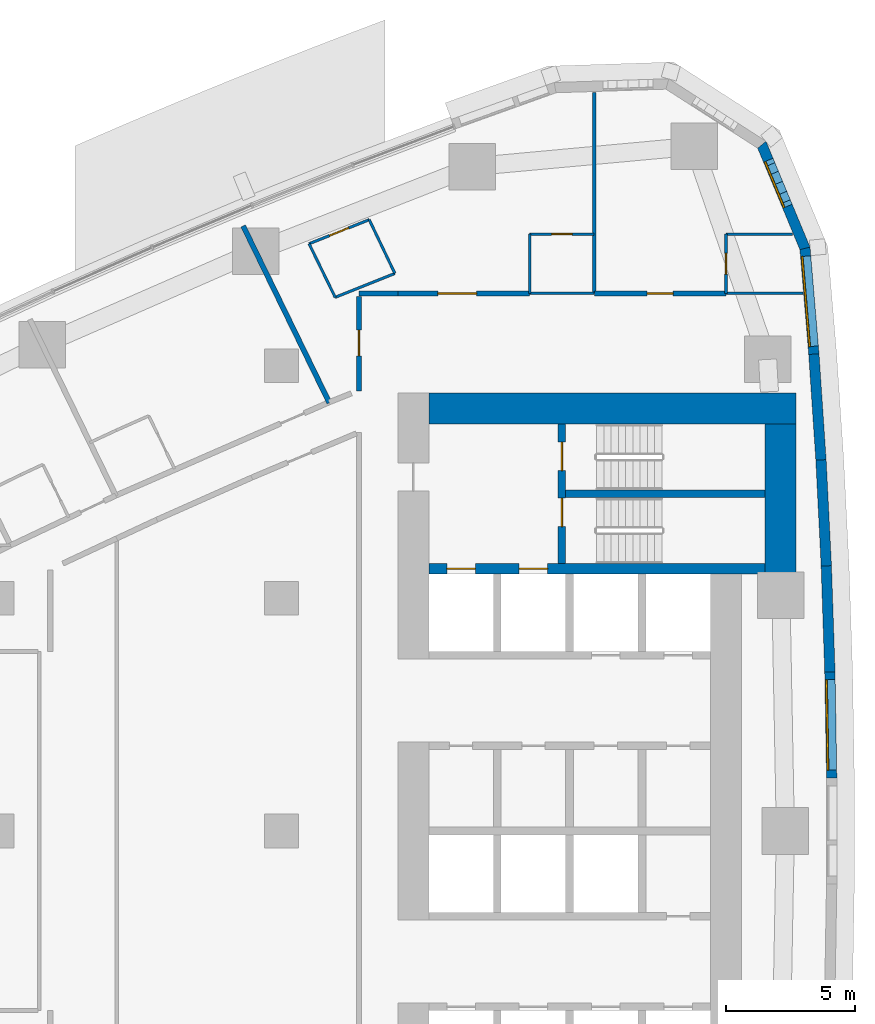
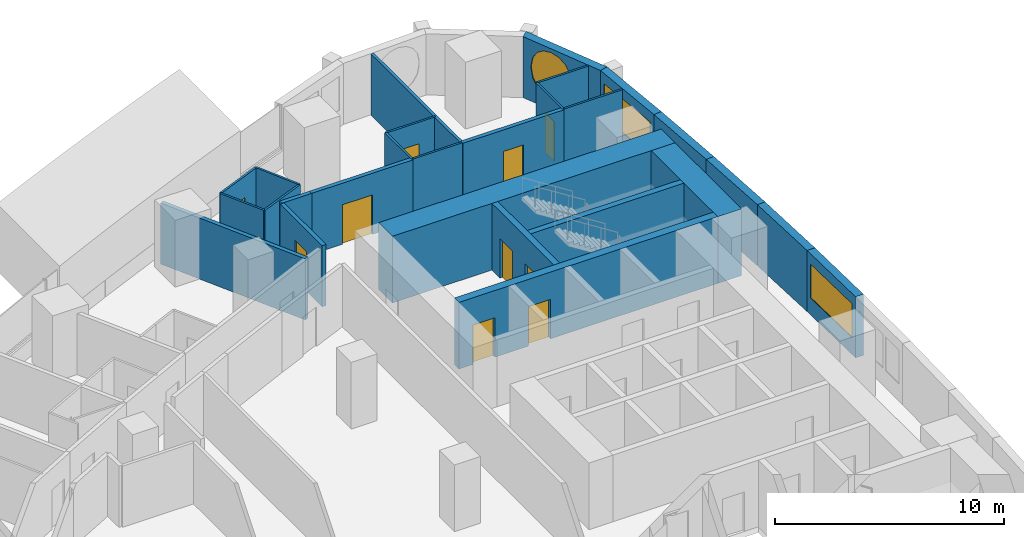
# One storey, part 13 of 19: 27 walls, 10 doors, 3 windows, 13 openings.
"""IFC4 building model written with IfcOpenShell, lengths in metres."""

from ifc_helpers import new_model, si_unit, direction, frame, frame_2d, origin, place, context, subcontext, project, spatial, polyline, rectangle, outline, extrude, material, layer, layer_set, type_object, element, fill, save


model = new_model("IFC4")

# Units and contexts
model_context = context("Model", 3, precision=1e-05, world=origin(), true_north=direction((0.0, 1.0)))
body_context = subcontext(model_context, "Body", "Model", "MODEL_VIEW")
ifc_project = project(units=[si_unit("LENGTHUNIT", "METRE"), si_unit("AREAUNIT", "SQUARE_METRE"), si_unit("VOLUMEUNIT", "CUBIC_METRE"), si_unit("PLANEANGLEUNIT", "RADIAN"), si_unit("MASSUNIT", "GRAM", prefix="KILO")], contexts=[model_context])

# Site, building, storey
site_placement = place(None, origin())
site = spatial("IfcSite", under=ifc_project, at=site_placement, CompositionType="ELEMENT")
building_placement = place(site_placement, origin())
building = spatial("IfcBuilding", under=site, at=building_placement, Name="Ostrand Prow Hotel Tower", CompositionType="ELEMENT")
storey_placement = place(building_placement, frame((0.0, 0.0, 39.60009765625)))
storey = spatial("IfcBuildingStorey", under=building, at=storey_placement, Name="L07", CompositionType="ELEMENT", Elevation=39.60009765625)

# Walls
ifc_material_1 = material(Name="Concrete C80/95", Category="concrete")
ifc_layer_1 = layer(ifc_material_1, 1.199951171875)
ifc_layer_set_1 = layer_set([ifc_layer_1], Name="Concrete C80/95")
wall_type_1 = type_object("IfcWallType", Name="Core wall 1200 C80/95", PredefinedType="SHEAR", material=ifc_layer_set_1)
wall_1_placement = place(storey_placement, frame((50.699951171875, 16.35009765625, 0.0), z_axis=(0.0, 0.0, 1.0), x_axis=(1.0, 0.0, 0.0)))
element("IfcWall", 1, at=wall_1_placement, inside=storey, type_object=wall_type_1, Name="Core wall CW-N", PredefinedType="SHEAR", context=body_context, shape_type="SweptSolid", body=[
    extrude(rectangle(XDim=14.219970703125, YDim=1.199951171875, at=frame_2d((7.10986328125, 0.0))), origin(), (0.0, 0.0, 1.0), 3.5498046875),
])
wall_2_placement = place(storey_placement, frame((64.320068359375, 9.949951171875, 0.0), z_axis=(0.0, 0.0, 1.0), x_axis=(0.0, 1.0, 0.0)))
element("IfcWall", 2, at=wall_2_placement, inside=storey, type_object=wall_type_1, Name="Core wall CW-E-N", PredefinedType="SHEAR", context=body_context, shape_type="SweptSolid", body=[
    extrude(rectangle(XDim=5.800048828125, YDim=1.199951171875, at=frame_2d((2.89990234375, 0.0))), origin(), (0.0, 0.0, 1.0), 3.5498046875),
])

# Wall, openings, doors
ifc_material_2 = material(Name="Concrete C80/95", Category="concrete")
ifc_layer_2 = layer(ifc_material_2, 0.300048828125)
ifc_layer_set_2 = layer_set([ifc_layer_2], Name="Concrete C80/95")
wall_type_2 = type_object("IfcWallType", Name="Core wall 300 C80/95", PredefinedType="SHEAR", material=ifc_layer_set_2)
wall_3_placement = place(storey_placement, frame((55.85009765625, 10.35009765625, 0.0), z_axis=(0.0, 0.0, 1.0), x_axis=(0.0, 1.0, 0.0)))
wall_3 = element("IfcWall", 3, at=wall_3_placement, inside=storey, type_object=wall_type_2, Name="Core wall PW-VN", PredefinedType="SHEAR", context=body_context, shape_type="SweptSolid", body=[
    extrude(rectangle(XDim=5.39990234375, YDim=0.300048828125, at=frame_2d((2.699951171875, 0.0))), origin(), (0.0, 0.0, 1.0), 3.5498046875),
])
opening_1_placement = place(wall_3_placement, frame((1.429931640625, 0.0, 0.0)))
opening_1 = element("IfcOpeningElement", 4, at=opening_1_placement, cuts=wall_3, Name="Opening FD1", PredefinedType="OPENING", context=body_context, shape_type="SweptSolid", body=[
    extrude(rectangle(XDim=1.10009765625, YDim=2.10009765625, at=frame_2d((0.550048828125, 1.050048828125))), frame((0.0, 0.159912109375, 0.0), z_axis=(0.0, -1.0, 0.0), x_axis=(1.0, 0.0, 0.0)), (0.0, 0.0, 1.0), 0.320068359375),
])
opening_2_placement = place(wall_3_placement, frame((3.60009765625, 0.0, 0.0)))
opening_2 = element("IfcOpeningElement", 5, at=opening_2_placement, cuts=wall_3, Name="Opening FD1", PredefinedType="OPENING", context=body_context, shape_type="SweptSolid", body=[
    extrude(rectangle(XDim=1.10009765625, YDim=2.10009765625, at=frame_2d((0.550048828125, 1.050048828125))), frame((0.0, 0.159912109375, 0.0), z_axis=(0.0, -1.0, 0.0), x_axis=(1.0, 0.0, 0.0)), (0.0, 0.0, 1.0), 0.320068359375),
])
ifc_material_3 = material(Name="Steel fire door", Category="steel")
door_type_1 = type_object("IfcDoorType", Name="Fire door 1100 EI120", OperationType="SINGLE_SWING_RIGHT", PredefinedType="DOOR", material=ifc_material_3)
door_1_placement = place(opening_1_placement, origin())
door_1 = element("IfcDoor", 6, at=door_1_placement, inside=storey, type_object=door_type_1, Name="FIRE DOOR", OperationType="SINGLE_SWING_RIGHT", OverallHeight=2.10009765625, OverallWidth=1.10009765625, PredefinedType="DOOR", context=body_context, shape_type="SweptSolid", body=[
    extrude(rectangle(XDim=1.10009765625, YDim=2.10009765625, at=frame_2d((0.550048828125, 1.050048828125))), frame((0.0, 0.02490234375, 0.0), z_axis=(0.0, -1.0, 0.0), x_axis=(1.0, 0.0, 0.0)), (0.0, 0.0, 1.0), 0.050048828125),
])
fill(opening_1, door_1)
door_2_placement = place(opening_2_placement, origin())
door_2 = element("IfcDoor", 7, at=door_2_placement, inside=storey, type_object=door_type_1, Name="FIRE DOOR", OperationType="SINGLE_SWING_RIGHT", OverallHeight=2.10009765625, OverallWidth=1.10009765625, PredefinedType="DOOR", context=body_context, shape_type="SweptSolid", body=[
    extrude(rectangle(XDim=1.10009765625, YDim=2.10009765625, at=frame_2d((0.550048828125, 1.050048828125))), frame((0.0, 0.02490234375, 0.0), z_axis=(0.0, -1.0, 0.0), x_axis=(1.0, 0.0, 0.0)), (0.0, 0.0, 1.0), 0.050048828125),
])
fill(opening_2, door_2)

# Wall
wall_4_placement = place(storey_placement, frame((56.0, 13.050048828125, 0.0), z_axis=(0.0, 0.0, 1.0), x_axis=(1.0, 0.0, 0.0)))
element("IfcWall", 8, at=wall_4_placement, inside=storey, type_object=wall_type_2, Name="Core wall PW-ST13", PredefinedType="SHEAR", context=body_context, shape_type="SweptSolid", body=[
    extrude(rectangle(XDim=7.719970703125, YDim=0.300048828125, at=frame_2d((3.85986328125, 0.0))), origin(), (0.0, 0.0, 1.0), 3.5498046875),
])

# Wall, openings, doors
ifc_material_4 = material(Name="Concrete C80/95", Category="concrete")
ifc_layer_3 = layer(ifc_material_4, 0.39990234375)
ifc_layer_set_3 = layer_set([ifc_layer_3], Name="Concrete C80/95")
wall_type_3 = type_object("IfcWallType", Name="Core wall 400 C80/95", PredefinedType="SHEAR", material=ifc_layer_set_3)
wall_5_placement = place(storey_placement, frame((50.699951171875, 10.14990234375, 0.0), z_axis=(0.0, 0.0, 1.0), x_axis=(1.0, 0.0, 0.0)))
wall_5 = element("IfcWall", 9, at=wall_5_placement, inside=storey, type_object=wall_type_3, Name="Core wall PW-BN", PredefinedType="SHEAR", context=body_context, shape_type="SweptSolid", body=[
    extrude(rectangle(XDim=13.02001953125, YDim=0.39990234375, at=frame_2d((6.510009765625, 0.0))), origin(), (0.0, 0.0, 1.0), 3.5498046875),
])
opening_3_placement = place(wall_5_placement, frame((0.699951171875, 0.0, 0.0)))
opening_3 = element("IfcOpeningElement", 10, at=opening_3_placement, cuts=wall_5, Name="Opening LD", PredefinedType="OPENING", context=body_context, shape_type="SweptSolid", body=[
    extrude(rectangle(XDim=1.10009765625, YDim=2.10009765625, at=frame_2d((0.550048828125, 1.050048828125))), frame((0.0, 0.2099609375, 0.0), z_axis=(0.0, -1.0, 0.0), x_axis=(1.0, 0.0, 0.0)), (0.0, 0.0, 1.0), 0.419921875),
])
opening_4_placement = place(wall_5_placement, frame((3.5, 0.0, 0.0)))
opening_4 = element("IfcOpeningElement", 11, at=opening_4_placement, cuts=wall_5, Name="Opening LD", PredefinedType="OPENING", context=body_context, shape_type="SweptSolid", body=[
    extrude(rectangle(XDim=1.10009765625, YDim=2.10009765625, at=frame_2d((0.550048828125, 1.050048828125))), frame((0.0, 0.2099609375, 0.0), z_axis=(0.0, -1.0, 0.0), x_axis=(1.0, 0.0, 0.0)), (0.0, 0.0, 1.0), 0.419921875),
])
ifc_material_5 = material(Name="Stainless steel door", Category="steel")
door_type_2 = type_object("IfcDoorType", Name="Lift landing door 1100", OperationType="DOUBLE_DOOR_SLIDING", PredefinedType="DOOR", material=ifc_material_5)
door_3_placement = place(opening_3_placement, origin())
door_3 = element("IfcDoor", 12, at=door_3_placement, inside=storey, type_object=door_type_2, Name="LIFT LANDING DOOR", OperationType="DOUBLE_DOOR_SLIDING", OverallHeight=2.10009765625, OverallWidth=1.10009765625, PredefinedType="DOOR", context=body_context, shape_type="SweptSolid", body=[
    extrude(rectangle(XDim=1.10009765625, YDim=2.10009765625, at=frame_2d((0.550048828125, 1.050048828125))), frame((0.0, 0.02490234375, 0.0), z_axis=(0.0, -1.0, 0.0), x_axis=(1.0, 0.0, 0.0)), (0.0, 0.0, 1.0), 0.050048828125),
])
fill(opening_3, door_3)
door_4_placement = place(opening_4_placement, origin())
door_4 = element("IfcDoor", 13, at=door_4_placement, inside=storey, type_object=door_type_2, Name="LIFT LANDING DOOR", OperationType="DOUBLE_DOOR_SLIDING", OverallHeight=2.10009765625, OverallWidth=1.10009765625, PredefinedType="DOOR", context=body_context, shape_type="SweptSolid", body=[
    extrude(rectangle(XDim=1.10009765625, YDim=2.10009765625, at=frame_2d((0.550048828125, 1.050048828125))), frame((0.0, 0.02490234375, 0.0), z_axis=(0.0, -1.0, 0.0), x_axis=(1.0, 0.0, 0.0)), (0.0, 0.0, 1.0), 0.050048828125),
])
fill(opening_4, door_4)

# Wall
ifc_material_6 = material(Name="Plasterboard partition")
ifc_layer_4 = layer(ifc_material_6, 0.10009765625)
ifc_layer_set_4 = layer_set([ifc_layer_4], Name="Plasterboard partition")
wall_type_4 = type_object("IfcWallType", Name="Partition 100 bathroom wall", PredefinedType="PARTITIONING", material=ifc_layer_set_4)
wall_6_placement = place(storey_placement, frame((54.601806640625, 20.800048828125, 0.0), z_axis=(0.0, 0.0, 1.0), x_axis=(0.0, 1.0, 0.0)))
element("IfcWall", 14, at=wall_6_placement, inside=storey, type_object=wall_type_4, Name="BATHROOM WALL", PredefinedType="PARTITIONING", context=body_context, shape_type="SweptSolid", body=[
    extrude(rectangle(XDim=2.300048828125, YDim=0.10009765625, at=frame_2d((1.14990234375, 0.0))), origin(), (0.0, 0.0, 1.0), 3.25),
])

# Wall, opening, door
wall_7_placement = place(storey_placement, frame((54.601806640625, 23.10009765625, 0.0), z_axis=(0.0, 0.0, 1.0), x_axis=(1.0, 0.0, 0.0)))
wall_7 = element("IfcWall", 15, at=wall_7_placement, inside=storey, type_object=wall_type_4, Name="BATHROOM WALL", PredefinedType="PARTITIONING", context=body_context, shape_type="SweptSolid", body=[
    extrude(rectangle(XDim=2.5, YDim=0.10009765625, at=frame_2d((1.25, 0.0))), origin(), (0.0, 0.0, 1.0), 3.25),
])
opening_5_placement = place(wall_7_placement, frame((0.85009765625, 0.0, 0.0)))
opening_5 = element("IfcOpeningElement", 16, at=opening_5_placement, cuts=wall_7, Name="Opening D2", PredefinedType="OPENING", context=body_context, shape_type="SweptSolid", body=[
    extrude(rectangle(XDim=0.800048828125, YDim=2.10009765625, at=frame_2d((0.39990234375, 1.050048828125))), frame((0.0, 0.06005859375, 0.0), z_axis=(0.0, -1.0, 0.0), x_axis=(1.0, 0.0, 0.0)), (0.0, 0.0, 1.0), 0.1201171875),
])
ifc_material_7 = material(Name="Timber door leaf", Category="wood")
door_type_3 = type_object("IfcDoorType", Name="Bathroom door 800", OperationType="SINGLE_SWING_LEFT", PredefinedType="DOOR", material=ifc_material_7)
door_5_placement = place(opening_5_placement, origin())
door_5 = element("IfcDoor", 17, at=door_5_placement, inside=storey, type_object=door_type_3, Name="DOOR", OperationType="SINGLE_SWING_LEFT", OverallHeight=2.10009765625, OverallWidth=0.800048828125, PredefinedType="DOOR", context=body_context, shape_type="SweptSolid", body=[
    extrude(rectangle(XDim=0.800048828125, YDim=2.10009765625, at=frame_2d((0.39990234375, 1.050048828125))), frame((0.0, 0.02490234375, 0.0), z_axis=(0.0, -1.0, 0.0), x_axis=(1.0, 0.0, 0.0)), (0.0, 0.0, 1.0), 0.050048828125),
])
fill(opening_5, door_5)

wall_8_placement = place(storey_placement, frame((62.203369140625, 20.800048828125, 0.0), z_axis=(0.0, 0.0, 1.0), x_axis=(0.0, 1.0, 0.0)))
wall_8 = element("IfcWall", 18, at=wall_8_placement, inside=storey, type_object=wall_type_4, Name="BATHROOM WALL", PredefinedType="PARTITIONING", context=body_context, shape_type="SweptSolid", body=[
    extrude(rectangle(XDim=2.300048828125, YDim=0.10009765625, at=frame_2d((1.14990234375, 0.0))), origin(), (0.0, 0.0, 1.0), 3.25),
])
opening_6_placement = place(wall_8_placement, frame((0.75, 0.0, 0.0)))
opening_6 = element("IfcOpeningElement", 19, at=opening_6_placement, cuts=wall_8, Name="Opening D2", PredefinedType="OPENING", context=body_context, shape_type="SweptSolid", body=[
    extrude(rectangle(XDim=0.800048828125, YDim=2.10009765625, at=frame_2d((0.39990234375, 1.050048828125))), frame((0.0, 0.06005859375, 0.0), z_axis=(0.0, -1.0, 0.0), x_axis=(1.0, 0.0, 0.0)), (0.0, 0.0, 1.0), 0.1201171875),
])
door_6_placement = place(opening_6_placement, origin())
door_6 = element("IfcDoor", 20, at=door_6_placement, inside=storey, type_object=door_type_3, Name="DOOR", OperationType="SINGLE_SWING_LEFT", OverallHeight=2.10009765625, OverallWidth=0.800048828125, PredefinedType="DOOR", context=body_context, shape_type="SweptSolid", body=[
    extrude(rectangle(XDim=0.800048828125, YDim=2.10009765625, at=frame_2d((0.39990234375, 1.050048828125))), frame((0.0, 0.02490234375, 0.0), z_axis=(0.0, -1.0, 0.0), x_axis=(1.0, 0.0, 0.0)), (0.0, 0.0, 1.0), 0.050048828125),
])
fill(opening_6, door_6)

# Walls
wall_9_placement = place(storey_placement, frame((62.203369140625, 23.10009765625, 0.0), z_axis=(0.0, 0.0, 1.0), x_axis=(1.0, 0.0, 0.0)))
element("IfcWall", 21, at=wall_9_placement, inside=storey, type_object=wall_type_4, Name="BATHROOM WALL", PredefinedType="PARTITIONING", context=body_context, shape_type="SweptSolid", body=[
    extrude(rectangle(XDim=2.578125, YDim=0.10009765625, at=frame_2d((1.2890625, 0.0))), origin(), (0.0, 0.0, 1.0), 3.25),
])
wall_10_placement = place(storey_placement, frame((49.387939453125, 21.5771484375, 0.0), z_axis=(0.0, 0.0, 1.0), x_axis=(-0.928266690687, -0.371915247014, 0.0)))
element("IfcWall", 22, at=wall_10_placement, inside=storey, type_object=wall_type_4, Name="BATHROOM WALL", PredefinedType="PARTITIONING", context=body_context, shape_type="SweptSolid", body=[
    extrude(rectangle(XDim=2.4873046875, YDim=0.10009765625, at=frame_2d((1.24365234375, 0.0))), origin(), (0.0, 0.0, 1.0), 3.25),
])
wall_11_placement = place(storey_placement, frame((47.0791015625, 20.652099609375, 0.0), z_axis=(0.0, 0.0, 1.0), x_axis=(-0.438171240168, 0.898891519756, 0.0)))
element("IfcWall", 23, at=wall_11_placement, inside=storey, type_object=wall_type_4, Name="BATHROOM WALL", PredefinedType="PARTITIONING", context=body_context, shape_type="SweptSolid", body=[
    extrude(rectangle(XDim=2.30615234375, YDim=0.10009765625, at=frame_2d((1.153076171875, 0.0))), origin(), (0.0, 0.0, 1.0), 3.25),
])

# Wall, opening, door
wall_12_placement = place(storey_placement, frame((46.068603515625, 22.72509765625, 0.0), z_axis=(0.0, 0.0, 1.0), x_axis=(0.928288495333, 0.371860819975, 0.0)))
wall_12 = element("IfcWall", 24, at=wall_12_placement, inside=storey, type_object=wall_type_4, Name="BATHROOM WALL", PredefinedType="PARTITIONING", context=body_context, shape_type="SweptSolid", body=[
    extrude(rectangle(XDim=2.506591796875, YDim=0.10009765625, at=frame_2d((1.25341796875, 0.0))), origin(), (0.0, 0.0, 1.0), 3.25),
])
opening_7_placement = place(wall_12_placement, frame((0.85009765625, 0.0, 0.0)))
opening_7 = element("IfcOpeningElement", 25, at=opening_7_placement, cuts=wall_12, Name="Opening D2", PredefinedType="OPENING", context=body_context, shape_type="SweptSolid", body=[
    extrude(rectangle(XDim=0.800048828125, YDim=2.10009765625, at=frame_2d((0.39990234375, 1.050048828125))), frame((0.0, 0.06005859375, 0.0), z_axis=(0.0, -1.0, 0.0), x_axis=(1.0, 0.0, 0.0)), (0.0, 0.0, 1.0), 0.1201171875),
])
door_7_placement = place(opening_7_placement, origin())
door_7 = element("IfcDoor", 26, at=door_7_placement, inside=storey, type_object=door_type_3, Name="DOOR", OperationType="SINGLE_SWING_LEFT", OverallHeight=2.10009765625, OverallWidth=0.800048828125, PredefinedType="DOOR", context=body_context, shape_type="SweptSolid", body=[
    extrude(rectangle(XDim=0.800048828125, YDim=2.10009765625, at=frame_2d((0.39990234375, 1.050048828125))), frame((0.0, 0.02490234375, 0.0), z_axis=(0.0, -1.0, 0.0), x_axis=(1.0, 0.0, 0.0)), (0.0, 0.0, 1.0), 0.050048828125),
])
fill(opening_7, door_7)

# Walls
wall_13_placement = place(storey_placement, frame((57.101806640625, 20.804931640625, 0.0), z_axis=(0.0, 0.0, 1.0), x_axis=(-1.0, 0.0, 0.0)))
element("IfcWall", 27, at=wall_13_placement, inside=storey, type_object=wall_type_4, Name="BATHROOM WALL", PredefinedType="PARTITIONING", context=body_context, shape_type="SweptSolid", body=[
    extrude(rectangle(XDim=2.5, YDim=0.10009765625, at=frame_2d((1.25, 0.0))), origin(), (0.0, 0.0, 1.0), 3.25),
])
wall_14_placement = place(storey_placement, frame((65.174560546875, 20.804931640625, 0.0), z_axis=(0.0, 0.0, 1.0), x_axis=(-1.0, 0.0, 0.0)))
element("IfcWall", 28, at=wall_14_placement, inside=storey, type_object=wall_type_4, Name="BATHROOM WALL", PredefinedType="PARTITIONING", context=body_context, shape_type="SweptSolid", body=[
    extrude(rectangle(XDim=2.97119140625, YDim=0.10009765625, at=frame_2d((1.485595703125, 0.0))), origin(), (0.0, 0.0, 1.0), 3.25),
])
wall_15_placement = place(storey_placement, frame((48.3955078125, 23.6572265625, 0.0), z_axis=(0.0, 0.0, 1.0), x_axis=(0.4306119303, -0.902537182327, 0.0)))
element("IfcWall", 29, at=wall_15_placement, inside=storey, type_object=wall_type_4, Name="BATHROOM WALL", PredefinedType="PARTITIONING", context=body_context, shape_type="SweptSolid", body=[
    extrude(rectangle(XDim=2.3046875, YDim=0.10009765625, at=frame_2d((1.15234375, 0.0))), origin(), (0.0, 0.0, 1.0), 3.25),
])
ifc_material_8 = material(Name="Plasterboard partition")
ifc_layer_5 = layer(ifc_material_8, 0.14990234375)
ifc_layer_set_5 = layer_set([ifc_layer_5], Name="Plasterboard partition")
wall_type_5 = type_object("IfcWallType", Name="Partition 150 room partition", PredefinedType="PARTITIONING", material=ifc_layer_set_5)
wall_16_placement = place(storey_placement, frame((57.101806640625, 20.800048828125, 0.0), z_axis=(0.0, 0.0, 1.0), x_axis=(0.0, 1.0, 0.0)))
element("IfcWall", 30, at=wall_16_placement, inside=storey, type_object=wall_type_5, Name="ROOM PARTITION", PredefinedType="PARTITIONING", context=body_context, shape_type="SweptSolid", body=[
    extrude(rectangle(XDim=7.786865234375, YDim=0.14990234375, at=frame_2d((3.8935546875, 0.0))), origin(), (0.0, 0.0, 1.0), 3.25),
])

# Wall, opening, door
ifc_material_9 = material(Name="Plasterboard partition")
ifc_layer_6 = layer(ifc_material_9, 0.199951171875)
ifc_layer_set_6 = layer_set([ifc_layer_6], Name="Plasterboard partition")
wall_type_6 = type_object("IfcWallType", Name="Partition 200 corridor wall", PredefinedType="PARTITIONING", material=ifc_layer_set_6)
wall_17_placement = place(storey_placement, frame((54.5966796875, 20.804931640625, 0.0), z_axis=(0.0, 0.0, 1.0), x_axis=(-1.0, 0.0, 0.0)))
wall_17 = element("IfcWall", 31, at=wall_17_placement, inside=storey, type_object=wall_type_6, Name="CORRIDOR WALL", PredefinedType="PARTITIONING", context=body_context, shape_type="SweptSolid", body=[
    extrude(rectangle(XDim=5.0966796875, YDim=0.199951171875, at=frame_2d((2.54833984375, 0.0))), origin(), (0.0, 0.0, 1.0), 3.25),
])
opening_8_placement = place(wall_17_placement, frame((2.04833984375, 0.0, 0.0)))
opening_8 = element("IfcOpeningElement", 32, at=opening_8_placement, cuts=wall_17, Name="Opening D15", PredefinedType="OPENING", context=body_context, shape_type="SweptSolid", body=[
    extrude(rectangle(XDim=1.5, YDim=2.10009765625, at=frame_2d((0.75, 1.050048828125))), frame((0.0, 0.10986328125, 0.0), z_axis=(0.0, -1.0, 0.0), x_axis=(1.0, 0.0, 0.0)), (0.0, 0.0, 1.0), 0.219970703125),
])
ifc_material_10 = material(Name="Timber door leaf", Category="wood")
door_type_4 = type_object("IfcDoorType", Name="Double door 1500", OperationType="DOUBLE_DOOR_SINGLE_SWING", PredefinedType="DOOR", material=ifc_material_10)
door_8_placement = place(opening_8_placement, origin())
door_8 = element("IfcDoor", 33, at=door_8_placement, inside=storey, type_object=door_type_4, Name="DOOR", OperationType="DOUBLE_DOOR_SINGLE_SWING", OverallHeight=2.10009765625, OverallWidth=1.5, PredefinedType="DOOR", context=body_context, shape_type="SweptSolid", body=[
    extrude(rectangle(XDim=1.5, YDim=2.10009765625, at=frame_2d((0.75, 1.050048828125))), frame((0.0, 0.02490234375, 0.0), z_axis=(0.0, -1.0, 0.0), x_axis=(1.0, 0.0, 0.0)), (0.0, 0.0, 1.0), 0.050048828125),
])
fill(opening_8, door_8)

wall_18_placement = place(storey_placement, frame((62.1982421875, 20.804931640625, 0.0), z_axis=(0.0, 0.0, 1.0), x_axis=(-1.0, 0.0, 0.0)))
wall_18 = element("IfcWall", 34, at=wall_18_placement, inside=storey, type_object=wall_type_6, Name="CORRIDOR WALL", PredefinedType="PARTITIONING", context=body_context, shape_type="SweptSolid", body=[
    extrude(rectangle(XDim=5.091552734375, YDim=0.199951171875, at=frame_2d((2.5458984375, 0.0))), origin(), (0.0, 0.0, 1.0), 3.25),
])
opening_9_placement = place(wall_18_placement, frame((2.0458984375, 0.0, 0.0)))
opening_9 = element("IfcOpeningElement", 35, at=opening_9_placement, cuts=wall_18, Name="Opening D1", PredefinedType="OPENING", context=body_context, shape_type="SweptSolid", body=[
    extrude(rectangle(XDim=1.0, YDim=2.10009765625, at=frame_2d((0.5, 1.050048828125))), frame((0.0, 0.10986328125, 0.0), z_axis=(0.0, -1.0, 0.0), x_axis=(1.0, 0.0, 0.0)), (0.0, 0.0, 1.0), 0.219970703125),
])
ifc_material_11 = material(Name="Timber door leaf", Category="wood")
door_type_5 = type_object("IfcDoorType", Name="Guest room door 1000", OperationType="SINGLE_SWING_LEFT", PredefinedType="DOOR", material=ifc_material_11)
door_9_placement = place(opening_9_placement, origin())
door_9 = element("IfcDoor", 36, at=door_9_placement, inside=storey, type_object=door_type_5, Name="DOOR", OperationType="SINGLE_SWING_LEFT", OverallHeight=2.10009765625, OverallWidth=1.0, PredefinedType="DOOR", context=body_context, shape_type="SweptSolid", body=[
    extrude(rectangle(XDim=1.0, YDim=2.10009765625, at=frame_2d((0.5, 1.050048828125))), frame((0.0, 0.02490234375, 0.0), z_axis=(0.0, -1.0, 0.0), x_axis=(1.0, 0.0, 0.0)), (0.0, 0.0, 1.0), 0.050048828125),
])
fill(opening_9, door_9)

# Wall
wall_19_placement = place(storey_placement, frame((49.5, 20.804931640625, 0.0), z_axis=(0.0, 0.0, 1.0), x_axis=(-0.999998683182, -0.001622847587, 0.0)))
element("IfcWall", 37, at=wall_19_placement, inside=storey, type_object=wall_type_6, Name="CORRIDOR WALL", PredefinedType="PARTITIONING", context=body_context, shape_type="SweptSolid", body=[
    extrude(rectangle(XDim=1.50439453125, YDim=0.199951171875, at=frame_2d((0.752197265625, 0.0))), origin(), (0.0, 0.0, 1.0), 3.25),
])

# Wall, opening, door
wall_20_placement = place(storey_placement, frame((47.99560546875, 20.682373046875, 0.0), z_axis=(0.0, 0.0, 1.0), x_axis=(0.000869739418, -0.999999621777, 0.0)))
wall_20 = element("IfcWall", 38, at=wall_20_placement, inside=storey, type_object=wall_type_6, Name="CORRIDOR WALL", PredefinedType="PARTITIONING", context=body_context, shape_type="SweptSolid", body=[
    extrude(rectangle(XDim=3.649169921875, YDim=0.199951171875, at=frame_2d((1.82470703125, 0.0))), origin(), (0.0, 0.0, 1.0), 3.25),
])
opening_10_placement = place(wall_20_placement, frame((1.300048828125, 0.0, 0.0)))
opening_10 = element("IfcOpeningElement", 39, at=opening_10_placement, cuts=wall_20, Name="Opening D1R", PredefinedType="OPENING", context=body_context, shape_type="SweptSolid", body=[
    extrude(rectangle(XDim=1.0, YDim=2.10009765625, at=frame_2d((0.5, 1.050048828125))), frame((0.0, 0.10986328125, 0.0), z_axis=(0.0, -1.0, 0.0), x_axis=(1.0, 0.0, 0.0)), (0.0, 0.0, 1.0), 0.219970703125),
])
ifc_material_12 = material(Name="Timber door leaf", Category="wood")
door_type_6 = type_object("IfcDoorType", Name="Guest room door 1000 right", OperationType="SINGLE_SWING_RIGHT", PredefinedType="DOOR", material=ifc_material_12)
door_10_placement = place(opening_10_placement, origin())
door_10 = element("IfcDoor", 40, at=door_10_placement, inside=storey, type_object=door_type_6, Name="DOOR", OperationType="SINGLE_SWING_RIGHT", OverallHeight=2.10009765625, OverallWidth=1.0, PredefinedType="DOOR", context=body_context, shape_type="SweptSolid", body=[
    extrude(rectangle(XDim=1.0, YDim=2.10009765625, at=frame_2d((0.5, 1.050048828125))), frame((0.0, 0.02490234375, 0.0), z_axis=(0.0, -1.0, 0.0), x_axis=(1.0, 0.0, 0.0)), (0.0, 0.0, 1.0), 0.050048828125),
])
fill(opening_10, door_10)

# Wall
ifc_material_13 = material(Name="Plasterboard partition")
ifc_layer_7 = layer(ifc_material_13, 0.199951171875)
ifc_layer_set_7 = layer_set([ifc_layer_7], Name="Plasterboard partition")
wall_type_7 = type_object("IfcWallType", Name="Partition 200 key partition", PredefinedType="PARTITIONING", material=ifc_layer_set_7)
wall_21_placement = place(storey_placement, frame((46.85205078125, 16.57275390625, 0.0), z_axis=(0.0, 0.0, 1.0), x_axis=(-0.438196739796, 0.898879089328, 0.0)))
element("IfcWall", 41, at=wall_21_placement, inside=storey, type_object=wall_type_7, Name="KEY PARTITION", PredefinedType="PARTITIONING", context=body_context, shape_type="SweptSolid", body=[
    extrude(rectangle(XDim=7.611083984375, YDim=0.199951171875, at=frame_2d((3.8056640625, 0.0))), origin(), (0.0, 0.0, 1.0), 3.25),
])

# Wall, opening, window
ifc_material_14 = material(Name="Precast concrete C40/50", Category="concrete")
ifc_layer_8 = layer(ifc_material_14, 0.39990234375)
ifc_layer_set_8 = layer_set([ifc_layer_8], Name="Precast concrete C40/50")
wall_type_8 = type_object("IfcWallType", Name="Stone-faced precast wall 400 mm", PredefinedType="NOTDEFINED", material=ifc_layer_set_8)
wall_22_placement = place(storey_placement, frame((66.29150390625, 2.052490234375, 0.0), z_axis=(0.0, 0.0, 1.0), x_axis=(-0.016830829972, 0.999858351549, 0.0)))
wall_22 = element("IfcWall", 42, at=wall_22_placement, inside=storey, type_object=wall_type_8, Name="Stone-faced wall back 11", PredefinedType="NOTDEFINED", context=body_context, shape_type="SweptSolid", body=[
    extrude(outline(polyline([(-0.001708984375, -0.199951171875), (4.106689453125, -0.199951171875), (4.103271484375, 0.199951171875), (0.001708984375, 0.199951171875), (-0.001708984375, -0.199951171875)])), origin(), (0.0, 0.0, 1.0), 3.25),
])
opening_11_placement = place(wall_22_placement, frame((0.302490234375, 0.0, 0.89990234375)))
opening_11 = element("IfcOpeningElement", 43, at=opening_11_placement, cuts=wall_22, Name="Opening WS3-35", PredefinedType="OPENING", context=body_context, shape_type="SweptSolid", body=[
    extrude(rectangle(XDim=3.5, YDim=1.800048828125, at=frame_2d((1.75, 0.89990234375))), frame((0.0, 0.2099609375, 0.0), z_axis=(0.0, -1.0, 0.0), x_axis=(1.0, 0.0, 0.0)), (0.0, 0.0, 1.0), 0.419921875),
])
ifc_material_15 = material(Name="Insulated glass in bronze frame", Category="glass")
window_type_1 = type_object("IfcWindowType", Name="Strip window 3500x1800", PartitioningType="SINGLE_PANEL", PredefinedType="WINDOW", material=ifc_material_15)
window_1_placement = place(opening_11_placement, origin())
window_1 = element("IfcWindow", 44, at=window_1_placement, inside=storey, type_object=window_type_1, Name="Window back 11.1", OverallHeight=1.800048828125, OverallWidth=3.5, PartitioningType="SINGLE_PANEL", PredefinedType="WINDOW", context=body_context, shape_type="SweptSolid", body=[
    extrude(rectangle(XDim=3.5, YDim=1.800048828125, at=frame_2d((1.75, 0.89990234375))), frame((0.0, 0.169921875, 0.0), z_axis=(0.0, -1.0, 0.0), x_axis=(1.0, 0.0, 0.0)), (0.0, 0.0, 1.0), 0.06005859375),
])
fill(opening_11, window_1)

# Walls
for number, where, z_axis, x_axis, name in (
    (45, (66.222412109375, 6.156982421875, 0.0), (0.0, 0.0, 1.0), (-0.033542554696, 0.999437290191, 0.0), "Stone-faced wall back 12"),
    (46, (66.084716796875, 10.259765625, 0.0), (0.0, 0.0, 1.0), (-0.050314326423, 0.998733432181, 0.0), "Stone-faced wall back 13"),
    (47, (65.878173828125, 14.359619140625, 0.0), (0.0, 0.0, 1.0), (-0.067087430225, 0.997747100575, 0.0), "Stone-faced wall back 14"),
):
    element("IfcWall", number, at=place(storey_placement, frame(where, z_axis=z_axis, x_axis=x_axis)), inside=storey, type_object=wall_type_8, Name=name, PredefinedType="NOTDEFINED", context=body_context, shape_type="SweptSolid", body=[
        extrude(outline(polyline([(-0.001708984375, -0.199951171875), (4.106689453125, -0.199951171875), (4.103271484375, 0.199951171875), (0.001708984375, 0.199951171875), (-0.001708984375, -0.199951171875)])), origin(), (0.0, 0.0, 1.0), 3.25),
    ])

# Wall, opening, window
wall_23_placement = place(storey_placement, frame((65.602783203125, 18.455322265625, 0.0), z_axis=(0.0, 0.0, 1.0), x_axis=(-0.083793550906, 0.996483136248, 0.0)))
wall_23 = element("IfcWall", 48, at=wall_23_placement, inside=storey, type_object=wall_type_8, Name="Stone-faced wall back 15", PredefinedType="NOTDEFINED", context=body_context, shape_type="SweptSolid", body=[
    extrude(outline(polyline([(-0.001708984375, -0.199951171875), (4.136474609375, -0.199951171875), (4.073974609375, 0.199951171875), (0.001708984375, 0.199951171875), (-0.001708984375, -0.199951171875)])), origin(), (0.0, 0.0, 1.0), 3.25),
])
opening_12_placement = place(wall_23_placement, frame((0.302490234375, 0.0, 0.89990234375)))
opening_12 = element("IfcOpeningElement", 49, at=opening_12_placement, cuts=wall_23, Name="Opening WS3-35", PredefinedType="OPENING", context=body_context, shape_type="SweptSolid", body=[
    extrude(rectangle(XDim=3.5, YDim=1.800048828125, at=frame_2d((1.75, 0.89990234375))), frame((0.0, 0.2099609375, 0.0), z_axis=(0.0, -1.0, 0.0), x_axis=(1.0, 0.0, 0.0)), (0.0, 0.0, 1.0), 0.419921875),
])
window_2_placement = place(opening_12_placement, origin())
window_2 = element("IfcWindow", 50, at=window_2_placement, inside=storey, type_object=window_type_1, Name="Window back 15.1", OverallHeight=1.800048828125, OverallWidth=3.5, PartitioningType="SINGLE_PANEL", PredefinedType="WINDOW", context=body_context, shape_type="SweptSolid", body=[
    extrude(rectangle(XDim=3.5, YDim=1.800048828125, at=frame_2d((1.75, 0.89990234375))), frame((0.0, 0.169921875, 0.0), z_axis=(0.0, -1.0, 0.0), x_axis=(1.0, 0.0, 0.0)), (0.0, 0.0, 1.0), 0.06005859375),
])
fill(opening_12, window_2)

wall_24_placement = place(storey_placement, frame((65.2587890625, 22.546142578125, 0.0), z_axis=(0.0, 0.0, 1.0), x_axis=(-0.384372042685, 0.923178277908, 0.0)))
wall_24 = element("IfcWall", 51, at=wall_24_placement, inside=storey, type_object=wall_type_8, Name="Stone-faced wall back 16", PredefinedType="NOTDEFINED", context=body_context, shape_type="SweptSolid", body=[
    extrude(outline(polyline([(-0.03125, -0.199951171875), (4.408203125, -0.199951171875), (4.283203125, 0.199951171875), (0.03125, 0.199951171875), (-0.03125, -0.199951171875)])), origin(), (0.0, 0.0, 1.0), 3.25),
])
opening_13_placement = place(wall_24_placement, frame((1.630615234375, 0.0, 0.60009765625)))
opening_13 = element("IfcOpeningElement", 52, at=opening_13_placement, cuts=wall_24, Name="Opening WP1", PredefinedType="OPENING", context=body_context, shape_type="SweptSolid", body=[
    extrude(outline(polyline([(0.0, 1.35009765625), (0.083740234375, 1.77099609375), (0.322265625, 2.127685546875), (0.678955078125, 2.3662109375), (1.10009765625, 2.449951171875), (1.52099609375, 2.3662109375), (1.877685546875, 2.127685546875), (2.1162109375, 1.77099609375), (2.199951171875, 1.35009765625), (2.199951171875, 1.10009765625), (2.1162109375, 0.678955078125), (1.877685546875, 0.322265625), (1.52099609375, 0.083740234375), (1.10009765625, 0.0), (0.678955078125, 0.083740234375), (0.322265625, 0.322265625), (0.083740234375, 0.678955078125), (0.0, 1.099853515625), (0.0, 1.35009765625)])), frame((0.0, 0.2099609375, 0.0), z_axis=(0.0, -1.0, 0.0), x_axis=(1.0, 0.0, 0.0)), (0.0, 0.0, 1.0), 0.419921875),
])
ifc_material_16 = material(Name="Insulated glass in bronze frame", Category="glass")
window_type_2 = type_object("IfcWindowType", Name="Round-ended prow window 2200x2450", PartitioningType="SINGLE_PANEL", PredefinedType="WINDOW", material=ifc_material_16)
window_3_placement = place(opening_13_placement, origin())
window_3 = element("IfcWindow", 53, at=window_3_placement, inside=storey, type_object=window_type_2, Name="Window back 16.1", OverallHeight=2.449951171875, OverallWidth=2.199951171875, PartitioningType="SINGLE_PANEL", PredefinedType="WINDOW", context=body_context, shape_type="SweptSolid", body=[
    extrude(outline(polyline([(0.0, 1.35009765625), (0.083740234375, 1.77099609375), (0.322265625, 2.127685546875), (0.678955078125, 2.3662109375), (1.10009765625, 2.449951171875), (1.52099609375, 2.3662109375), (1.877685546875, 2.127685546875), (2.1162109375, 1.77099609375), (2.199951171875, 1.35009765625), (2.199951171875, 1.10009765625), (2.1162109375, 0.678955078125), (1.877685546875, 0.322265625), (1.52099609375, 0.083740234375), (1.10009765625, 0.0), (0.678955078125, 0.083740234375), (0.322265625, 0.322265625), (0.083740234375, 0.678955078125), (0.0, 1.099853515625), (0.0, 1.35009765625)])), frame((0.0, 0.169921875, 0.0), z_axis=(0.0, -1.0, 0.0), x_axis=(1.0, 0.0, 0.0)), (0.0, 0.0, 1.0), 0.06005859375),
])
fill(opening_13, window_3)

save(model, "model.ifc")
